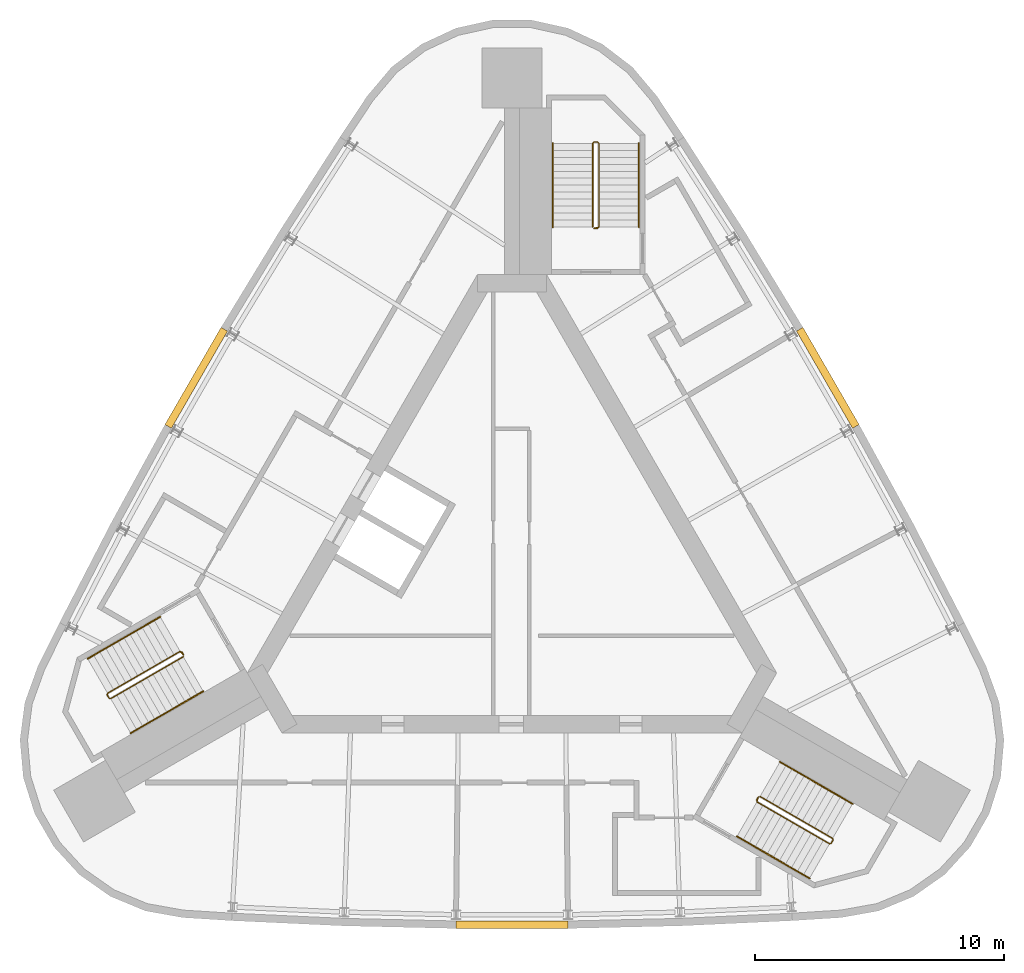
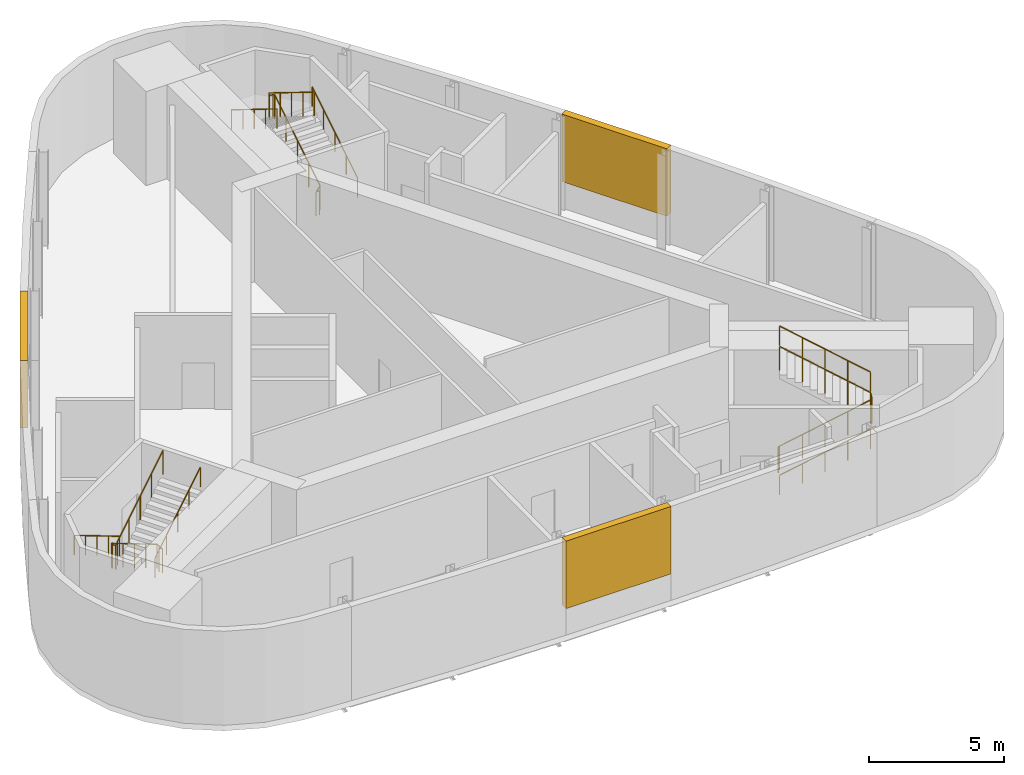
# One storey, part 7 of 7: 9 railings, 3 shading devices.
"""IFC4 building model written with IfcOpenShell, lengths in metres."""

import ifcopenshell
import ifcopenshell.guid

model = None  # the IFC model being written
_history = None  # IfcOwnerHistory: only IFC2X3 demands one
_inside = {}  # id of a spatial element -> (the spatial element, [elements in it])
_under = {}  # id of a project, library or spatial element -> (it, [spatial elements below it])
_declared = {}  # id of a project -> (the project, [libraries it declares])
_typed = {}  # id of a type object -> (the type object, [elements of that type])
_made_of = {}  # id of a material, layer set ... -> (it, [elements and type objects made of it])


def new_model(schema):
    """Start an empty IFC model of exactly this schema.

    Asked for "IFC4X3", IfcOpenShell would pick the latest addendum, in which some entities
    have other attributes; the version numbers below select the first issue.
    IFC2X3 requires an IfcOwnerHistory on every rooted entity: one is made here for all.
    """
    global model, _history
    if schema == "IFC4X3":
        model = ifcopenshell.file(schema_version=(4, 3, 0, 0))
    else:
        model = ifcopenshell.file(schema=schema)
    _inside.clear()
    _under.clear()
    _declared.clear()
    _typed.clear()
    _made_of.clear()
    _history = None
    if model.schema == "IFC2X3":
        org = make("IfcOrganization", Name="unknown")
        user = make(
            "IfcPersonAndOrganization",
            ThePerson=make("IfcPerson", FamilyName="unknown"),
            TheOrganization=org,
        )
        app = make(
            "IfcApplication",
            ApplicationDeveloper=org,
            Version="unknown",
            ApplicationFullName="unknown",
            ApplicationIdentifier="unknown",
        )
        _history = make(
            "IfcOwnerHistory",
            OwningUser=user,
            OwningApplication=app,
            ChangeAction="ADDED",
            CreationDate=0,
        )
    return model


def make(cls, **values):
    """One entity of the class cls with the attributes given. An attribute that is None is left unset."""
    return model.create_entity(
        cls, **{name: value for name, value in values.items() if value is not None}
    )


def rooted(cls, **values):
    """An entity with a GlobalId (a new one), such as an element, a storey or a relation."""
    return make(cls, GlobalId=ifcopenshell.guid.new(), OwnerHistory=_history, **values)


def si_unit(unit_type, name, prefix=None):
    """IfcSIUnit, for example si_unit("LENGTHUNIT", "METRE", prefix="MILLI")."""
    return make("IfcSIUnit", UnitType=unit_type, Prefix=prefix, Name=name)


def assignment(units):
    """IfcUnitAssignment: the units of a project."""
    return None if units is None else make("IfcUnitAssignment", Units=units)


def point(xyz):
    """IfcCartesianPoint."""
    return None if xyz is None else make("IfcCartesianPoint", Coordinates=xyz)


def direction(xyz):
    """IfcDirection."""
    return None if xyz is None else make("IfcDirection", DirectionRatios=xyz)


def frame(location, z_axis=None, x_axis=None):
    """IfcAxis2Placement3D, a coordinate frame: its origin and axes. An axis left out is left unset."""
    return make(
        "IfcAxis2Placement3D",
        Location=point(location),
        Axis=direction(z_axis),
        RefDirection=direction(x_axis),
    )


def frame_2d(location, x_axis=None):
    """IfcAxis2Placement2D, a coordinate frame in the plane: its origin and x axis."""
    return make(
        "IfcAxis2Placement2D", Location=point(location), RefDirection=direction(x_axis)
    )


def origin():
    """The frame at (0, 0, 0) with its axes left unset."""
    return frame((0.0, 0.0, 0.0))


def origin_2d():
    """The frame at (0, 0) in the plane with its x axis left unset."""
    return frame_2d((0.0, 0.0))


def place(relative_to, where):
    """IfcLocalPlacement: puts the frame where relative to a parent placement (None: the world)."""
    return make(
        "IfcLocalPlacement", PlacementRelTo=relative_to, RelativePlacement=where
    )


def context(
    kind, dimensions, precision=None, world=None, true_north=None, identifier=None
):
    """IfcGeometricRepresentationContext, for example the 3D "Model" context."""
    return make(
        "IfcGeometricRepresentationContext",
        ContextIdentifier=identifier,
        ContextType=kind,
        CoordinateSpaceDimension=dimensions,
        Precision=precision,
        WorldCoordinateSystem=world,
        TrueNorth=true_north,
    )


def subcontext(parent, identifier, kind, view, scale=None):
    """IfcGeometricRepresentationSubContext, for example "Body" below "Model"."""
    return make(
        "IfcGeometricRepresentationSubContext",
        ContextIdentifier=identifier,
        ContextType=kind,
        ParentContext=parent,
        TargetScale=scale,
        TargetView=view,
    )


def project(units=None, contexts=None):
    """IfcProject with its units and contexts."""
    return rooted(
        "IfcProject",
        Name="project",
        RepresentationContexts=contexts,
        UnitsInContext=assignment(units),
    )


def spatial(cls, under=None, at=None, **own):
    """A site, building, storey or space (cls), placed at a placement, below another one or the project."""
    s = rooted(cls, ObjectPlacement=at, **own)
    if under is not None:
        _under.setdefault(under.id(), (under, []))[1].append(s)
    return s


def polyline(points):
    """IfcPolyline through the points."""
    return make("IfcPolyline", Points=[point(p) for p in points])


def profile(cls, at=None, kind="AREA", **sizes):
    """A parametric profile (cls). Its sizes go by their IFC names, for example OverallWidth=200.0."""
    return make(cls, ProfileType=kind, Position=at, **sizes)


def circle(**sizes):
    """IfcCircleProfileDef."""
    return profile("IfcCircleProfileDef", **sizes)


def outline(outer, holes=None, kind="AREA"):
    """IfcArbitraryClosedProfileDef: a profile drawn as a closed curve; with holes, ...WithVoids."""
    if holes is None:
        return make("IfcArbitraryClosedProfileDef", ProfileType=kind, OuterCurve=outer)
    return make(
        "IfcArbitraryProfileDefWithVoids",
        ProfileType=kind,
        OuterCurve=outer,
        InnerCurves=holes,
    )


def extrude(swept, where, along, depth):
    """IfcExtrudedAreaSolid: the profile swept, set in the frame where, extruded along a direction by depth."""
    return make(
        "IfcExtrudedAreaSolid",
        SweptArea=swept,
        Position=where,
        ExtrudedDirection=direction(along),
        Depth=depth,
    )


def shape(context_of_items, identifier, shape_type, items):
    """IfcShapeRepresentation: the items that make up one representation, for example the "Body"."""
    return make(
        "IfcShapeRepresentation",
        ContextOfItems=context_of_items,
        RepresentationIdentifier=identifier,
        RepresentationType=shape_type,
        Items=items,
    )


def material(Name=None, Category=None):
    """IfcMaterial."""
    return make("IfcMaterial", Name=Name, Category=Category)


def made_of(thing, what):
    """Note that an element or type object is made of a material, layer set ...; save() writes the relation."""
    if what is not None:
        _made_of.setdefault(what.id(), (what, []))[1].append(thing)
    return thing


def type_object(cls, material=None, **own):
    """A type object (cls), such as IfcWallType, which elements share."""
    return made_of(rooted(cls, **own), material)


def element(
    cls,
    number,
    at=None,
    inside=None,
    cuts=None,
    type_object=None,
    material=None,
    context=None,
    identifier="Body",
    shape_type=None,
    held_by="IfcProductDefinitionShape",
    body=None,
    shapes=None,
    **own,
):
    """One element of the class cls, such as IfcWall. Its Tag is "e" and its number.

    at: its placement. inside: the storey or other place that contains it. cuts: it is an
    opening in that element (IfcRelVoidsElement). A single representation is given by context,
    identifier, shape_type and body (its items); several are given by shapes. held_by: the class
    of the entity that holds the representations. save() writes the other relations.
    """
    e = rooted(cls, Tag="e%d" % number, ObjectPlacement=at, **own)
    if body is not None:
        shapes = [shape(context, identifier, shape_type, body)]
    if shapes is not None:
        e.Representation = make(held_by, Representations=shapes)
    if inside is not None:
        _inside.setdefault(inside.id(), (inside, []))[1].append(e)
    if cuts is not None:
        rooted(
            "IfcRelVoidsElement", RelatingBuildingElement=cuts, RelatedOpeningElement=e
        )
    if type_object is not None:
        _typed.setdefault(type_object.id(), (type_object, []))[1].append(e)
    return made_of(e, material)


def aggregate(whole, parts):
    """IfcRelAggregates: a whole, such as a stair, and the parts it consists of."""
    return rooted("IfcRelAggregates", RelatingObject=whole, RelatedObjects=parts)


def save(model, path):
    """Write the relations noted so far, then the file.

    IfcRelAggregates (storeys below a building ...), IfcRelContainedInSpatialStructure (elements
    in a storey), IfcRelDefinesByType, IfcRelAssociatesMaterial and IfcRelDeclares: one each for
    every whole, place, type object, material and project.
    """
    for whole, parts in _under.values():
        aggregate(whole, parts)
    for where, things in _inside.values():
        rooted(
            "IfcRelContainedInSpatialStructure",
            RelatedElements=things,
            RelatingStructure=where,
        )
    for kind, things in _typed.values():
        rooted("IfcRelDefinesByType", RelatedObjects=things, RelatingType=kind)
    for what, things in _made_of.values():
        rooted("IfcRelAssociatesMaterial", RelatedObjects=things, RelatingMaterial=what)
    for by, libraries in _declared.values():
        rooted("IfcRelDeclares", RelatingContext=by, RelatedDefinitions=libraries)
    model.write(path)


model = new_model("IFC4")

# Units and contexts
model_context = context("Model", 3, precision=1e-05, world=origin(), true_north=direction((0.0, 1.0)))
body_context = subcontext(model_context, "Body", "Model", "MODEL_VIEW")
ifc_project = project(units=[si_unit("LENGTHUNIT", "METRE"), si_unit("AREAUNIT", "SQUARE_METRE"), si_unit("VOLUMEUNIT", "CUBIC_METRE"), si_unit("PLANEANGLEUNIT", "RADIAN"), si_unit("MASSUNIT", "GRAM", prefix="KILO")], contexts=[model_context])

# Site, building, storey
site_placement = place(None, origin())
site = spatial("IfcSite", under=ifc_project, at=site_placement, CompositionType="ELEMENT")
building_placement = place(site_placement, origin())
building = spatial("IfcBuilding", under=site, at=building_placement, Name="Noor Cloister Tower", CompositionType="ELEMENT")
storey_placement = place(building_placement, frame((0.0, 0.0, 293.10009765625)))
storey = spatial("IfcBuildingStorey", under=building, at=storey_placement, Name="L74", CompositionType="ELEMENT", Elevation=293.10009765625)

# Shading devices
ifc_material_1 = material(Name="Aluminium 6063-T6 anodised", Category="aluminium")
shading_device_type = type_object("IfcShadingDeviceType", Name="LOUVRE crown plant air 40 percent free", PredefinedType="USERDEFINED", material=ifc_material_1)
shading_device_1_placement = place(storey_placement, frame((0.0, 0.0, 1.199951171875)))
element("IfcShadingDevice", 1, at=shading_device_1_placement, inside=storey, type_object=shading_device_type, Name="LOUVRE L74 1", ObjectType="LOUVRE", PredefinedType="USERDEFINED", context=body_context, shape_type="SweptSolid", body=[
    extrude(outline(polyline([(-11.669189453125, 9.335205078125), (-13.919189453125, 5.438232421875), (-13.659423828125, 5.288330078125), (-11.409423828125, 9.185302734375), (-11.669189453125, 9.335205078125)])), origin(), (0.0, 0.0, 1.0), 3.050048828125),
])
shading_device_2_placement = place(storey_placement, frame((0.0, 0.0, 1.199951171875)))
element("IfcShadingDevice", 2, at=shading_device_2_placement, inside=storey, type_object=shading_device_type, Name="LOUVRE L74 2", ObjectType="LOUVRE", PredefinedType="USERDEFINED", context=body_context, shape_type="SweptSolid", body=[
    extrude(outline(polyline([(-2.25, -14.7734375), (2.25, -14.7734375), (2.25, -14.473388671875), (-2.25, -14.473388671875), (-2.25, -14.7734375)])), origin(), (0.0, 0.0, 1.0), 3.050048828125),
])
shading_device_3_placement = place(storey_placement, frame((0.0, 0.0, 1.199951171875)))
element("IfcShadingDevice", 3, at=shading_device_3_placement, inside=storey, type_object=shading_device_type, Name="LOUVRE L74 3", ObjectType="LOUVRE", PredefinedType="USERDEFINED", context=body_context, shape_type="SweptSolid", body=[
    extrude(outline(polyline([(13.919189453125, 5.438232421875), (11.669189453125, 9.335205078125), (11.409423828125, 9.185302734375), (13.659423828125, 5.288330078125), (13.919189453125, 5.438232421875)])), origin(), (0.0, 0.0, 1.0), 3.050048828125),
])

# Railings
ifc_material_2 = material(Name="Stainless steel", Category="steel")
railing_type_1 = type_object("IfcRailingType", Name="Stair guard 1100", PredefinedType="GUARDRAIL", material=ifc_material_2)
railing_1_placement = place(storey_placement, frame((3.435546875, 13.306396484375, 0.0)))
element("IfcRailing", 4, at=railing_1_placement, inside=storey, type_object=railing_type_1, Name="Stair guard ST1 L74", PredefinedType="GUARDRAIL", context=body_context, shape_type="SweptSolid", body=[
    extrude(circle(Radius=0.02392578125, at=origin_2d()), frame((0.0, 0.0, 1.076171875), z_axis=(-1.0, 0.0, 0.0), x_axis=(0.0, -1.0, 0.0)), (0.0, 0.0, 1.0), 0.14990234375),
    extrude(circle(Radius=0.02392578125, at=origin_2d()), frame((-0.14990234375, 0.0, 1.076171875), z_axis=(0.742869136974, 0.185944045274, 0.643094283413), x_axis=(-0.242814311512, 0.970072785993, 0.0)), (0.0, 0.0, 1.0), 0.26904296875),
    extrude(circle(Radius=0.02392578125, at=origin_2d()), frame((0.050048828125, 0.050048828125, 1.2490234375), z_axis=(0.0, 0.850606129759, 0.525803396734), x_axis=(-1.0, 0.0, 0.0)), (0.0, 0.0, 1.0), 3.949951171875),
    extrude(circle(Radius=0.02392578125, at=origin_2d()), frame((0.050048828125, 3.409912109375, 3.326171875), z_axis=(-0.707106781187, 0.707106781187, 0.0), x_axis=(-0.707106781187, -0.707106781187, 0.0)), (0.0, 0.0, 1.0), 0.07080078125),
    extrude(circle(Radius=0.02392578125, at=origin_2d()), frame((0.0, 3.4599609375, 3.326171875), z_axis=(-1.0, 0.0, 0.0), x_axis=(0.0, -1.0, 0.0)), (0.0, 0.0, 1.0), 0.14990234375),
    extrude(circle(Radius=0.02392578125, at=origin_2d()), frame((-0.14990234375, 3.4599609375, 3.326171875), z_axis=(-0.267629722418, -0.267629722418, 0.925607186314), x_axis=(0.707106781187, -0.707106781187, 0.0)), (0.0, 0.0, 1.0), 0.18701171875),
    extrude(circle(Radius=0.02392578125, at=origin_2d()), frame((-0.199951171875, 3.409912109375, 3.4990234375), z_axis=(0.0, -0.850606129759, 0.525803396734), x_axis=(1.0, 0.0, 0.0)), (0.0, 0.0, 1.0), 3.949951171875),
    extrude(circle(Radius=0.02099609375, at=origin_2d()), origin(), (0.0, 0.0, 1.0), 1.052001953125),
    extrude(circle(Radius=0.02099609375, at=origin_2d()), frame((-0.14990234375, 0.0, 0.0)), (0.0, 0.0, 1.0), 1.052001953125),
    extrude(circle(Radius=0.02099609375, at=origin_2d()), frame((0.050048828125, 0.050048828125, 0.173095703125)), (0.0, 0.0, 1.0), 1.052001953125),
    extrude(circle(Radius=0.02099609375, at=origin_2d()), frame((0.050048828125, 0.89013671875, 0.6923828125)), (0.0, 0.0, 1.0), 1.052001953125),
    extrude(circle(Radius=0.02099609375, at=origin_2d()), frame((0.050048828125, 1.72998046875, 1.21142578125)), (0.0, 0.0, 1.0), 1.052001953125),
    extrude(circle(Radius=0.02099609375, at=origin_2d()), frame((0.050048828125, 2.56982421875, 1.730712890625)), (0.0, 0.0, 1.0), 1.052001953125),
    extrude(circle(Radius=0.02099609375, at=origin_2d()), frame((0.050048828125, 3.409912109375, 2.25)), (0.0, 0.0, 1.0), 1.052001953125),
    extrude(circle(Radius=0.02099609375, at=origin_2d()), frame((0.0, 3.4599609375, 2.25)), (0.0, 0.0, 1.0), 1.052001953125),
    extrude(circle(Radius=0.02099609375, at=origin_2d()), frame((-0.14990234375, 3.4599609375, 2.25)), (0.0, 0.0, 1.0), 1.052001953125),
    extrude(circle(Radius=0.02099609375, at=origin_2d()), frame((-0.199951171875, 3.409912109375, 2.423095703125)), (0.0, 0.0, 1.0), 1.052001953125),
    extrude(circle(Radius=0.02099609375, at=origin_2d()), frame((-0.199951171875, 2.56982421875, 2.9423828125)), (0.0, 0.0, 1.0), 1.052001953125),
    extrude(circle(Radius=0.02099609375, at=origin_2d()), frame((-0.199951171875, 1.72998046875, 3.46142578125)), (0.0, 0.0, 1.0), 1.052001953125),
    extrude(circle(Radius=0.02099609375, at=origin_2d()), frame((-0.199951171875, 0.89013671875, 3.980712890625)), (0.0, 0.0, 1.0), 1.052001953125),
    extrude(circle(Radius=0.02099609375, at=origin_2d()), frame((-0.199951171875, 0.050048828125, 4.5)), (0.0, 0.0, 1.0), 1.052001953125),
])
railing_2_placement = place(storey_placement, frame((-13.241455078125, -3.677734375, 0.0)))
element("IfcRailing", 5, at=railing_2_placement, inside=storey, type_object=railing_type_1, Name="Stair guard ST2 L74", PredefinedType="GUARDRAIL", context=body_context, shape_type="SweptSolid", body=[
    extrude(circle(Radius=0.02392578125, at=origin_2d()), frame((0.0, 0.0, 1.076171875), z_axis=(0.499112439033, -0.866537231285, 0.0), x_axis=(0.866537231285, 0.499112439033, 0.0)), (0.0, 0.0, 1.0), 0.150146484375),
    extrude(circle(Radius=0.02392578125, at=origin_2d()), frame((0.074951171875, -0.130126953125, 1.076171875), z_axis=(-0.532384093884, 0.550523245294, 0.643032917485), x_axis=(-0.718850276695, -0.695164929852, 0.0)), (0.0, 0.0, 1.0), 0.269287109375),
    extrude(circle(Radius=0.02392578125, at=origin_2d()), frame((-0.068359375, 0.01806640625, 1.2490234375), z_axis=(-0.736667954249, -0.425288379326, 0.525785240943), x_axis=(0.499976138585, -0.866039179741, 0.0)), (0.0, 0.0, 1.0), 3.9501953125),
    extrude(circle(Radius=0.02392578125, at=origin_2d()), frame((-2.978271484375, -1.661865234375, 3.326171875), z_axis=(-0.258736085224, -0.965948051503, 0.0), x_axis=(0.965948051503, -0.258736085224, 0.0)), (0.0, 0.0, 1.0), 0.07080078125),
    extrude(circle(Radius=0.02392578125, at=origin_2d()), frame((-2.99658203125, -1.730224609375, 3.326171875), z_axis=(0.501036270542, -0.865426285481, 0.0), x_axis=(0.865426285481, 0.501036270542, 0.0)), (0.0, 0.0, 1.0), 0.150146484375),
    extrude(circle(Radius=0.02392578125, at=origin_2d()), frame((-2.92138671875, -1.860107421875, 3.326171875), z_axis=(0.364418931161, -0.097962078269, 0.926068179905), x_axis=(0.259601060869, 0.965715946433, 0.0)), (0.0, 0.0, 1.0), 0.18701171875),
    extrude(circle(Radius=0.02392578125, at=origin_2d()), frame((-2.853271484375, -1.87841796875, 3.4990234375), z_axis=(0.736648589954, 0.42533900462, 0.52577141998), x_axis=(-0.500030632641, 0.866007717299, 0.0)), (0.0, 0.0, 1.0), 3.9501953125),
    extrude(circle(Radius=0.02099609375, at=origin_2d()), origin(), (0.0, 0.0, 1.0), 1.052001953125),
    extrude(circle(Radius=0.02099609375, at=origin_2d()), frame((0.074951171875, -0.130126953125, 0.0)), (0.0, 0.0, 1.0), 1.052001953125),
    extrude(circle(Radius=0.02099609375, at=origin_2d()), frame((-0.068359375, 0.01806640625, 0.173095703125)), (0.0, 0.0, 1.0), 1.052001953125),
    extrude(circle(Radius=0.02099609375, at=origin_2d()), frame((-0.7958984375, -0.40185546875, 0.6923828125)), (0.0, 0.0, 1.0), 1.052001953125),
    extrude(circle(Radius=0.02099609375, at=origin_2d()), frame((-1.5234375, -0.82177734375, 1.21142578125)), (0.0, 0.0, 1.0), 1.052001953125),
    extrude(circle(Radius=0.02099609375, at=origin_2d()), frame((-2.250732421875, -1.241943359375, 1.730712890625)), (0.0, 0.0, 1.0), 1.052001953125),
    extrude(circle(Radius=0.02099609375, at=origin_2d()), frame((-2.978271484375, -1.661865234375, 2.25)), (0.0, 0.0, 1.0), 1.052001953125),
    extrude(circle(Radius=0.02099609375, at=origin_2d()), frame((-2.99658203125, -1.730224609375, 2.25)), (0.0, 0.0, 1.0), 1.052001953125),
    extrude(circle(Radius=0.02099609375, at=origin_2d()), frame((-2.92138671875, -1.860107421875, 2.25)), (0.0, 0.0, 1.0), 1.052001953125),
    extrude(circle(Radius=0.02099609375, at=origin_2d()), frame((-2.853271484375, -1.87841796875, 2.423095703125)), (0.0, 0.0, 1.0), 1.052001953125),
    extrude(circle(Radius=0.02099609375, at=origin_2d()), frame((-2.125732421875, -1.45849609375, 2.9423828125)), (0.0, 0.0, 1.0), 1.052001953125),
    extrude(circle(Radius=0.02099609375, at=origin_2d()), frame((-1.3984375, -1.038330078125, 3.46142578125)), (0.0, 0.0, 1.0), 1.052001953125),
    extrude(circle(Radius=0.02099609375, at=origin_2d()), frame((-0.6708984375, -0.6181640625, 3.980712890625)), (0.0, 0.0, 1.0), 1.052001953125),
    extrude(circle(Radius=0.02099609375, at=origin_2d()), frame((0.056640625, -0.1982421875, 4.5)), (0.0, 0.0, 1.0), 1.052001953125),
])
railing_3_placement = place(storey_placement, frame((9.805908203125, -9.628662109375, 0.0)))
element("IfcRailing", 6, at=railing_3_placement, inside=storey, type_object=railing_type_1, Name="Stair guard ST3 L74", PredefinedType="GUARDRAIL", context=body_context, shape_type="SweptSolid", body=[
    extrude(circle(Radius=0.02392578125, at=origin_2d()), frame((0.0, 0.0, 1.076171875), z_axis=(0.499112439033, 0.866537231285, 0.0), x_axis=(-0.866537231285, 0.499112439033, 0.0)), (0.0, 0.0, 1.0), 0.150146484375),
    extrude(circle(Radius=0.02392578125, at=origin_2d()), frame((0.074951171875, 0.130126953125, 1.076171875), z_axis=(-0.210401176497, -0.736404117741, 0.642993250589), x_axis=(0.961523947641, -0.274721127897, 0.0)), (0.0, 0.0, 1.0), 0.269287109375),
    extrude(circle(Radius=0.02392578125, at=origin_2d()), frame((0.018310546875, -0.068115234375, 1.2490234375), z_axis=(0.736648589954, -0.42533900462, 0.52577141998), x_axis=(0.500030632641, 0.866007717299, 0.0)), (0.0, 0.0, 1.0), 3.9501953125),
    extrude(circle(Radius=0.02392578125, at=origin_2d()), frame((2.92822265625, -1.748291015625, 3.326171875), z_axis=(0.965715946433, 0.259601060869, 0.0), x_axis=(-0.259601060869, 0.965715946433, 0.0)), (0.0, 0.0, 1.0), 0.070556640625),
    extrude(circle(Radius=0.02392578125, at=origin_2d()), frame((2.996337890625, -1.72998046875, 3.326171875), z_axis=(0.499816412211, 0.866131372301, 0.0), x_axis=(-0.866131372301, 0.499816412211, 0.0)), (0.0, 0.0, 1.0), 0.14990234375),
    extrude(circle(Radius=0.02392578125, at=origin_2d()), frame((3.0712890625, -1.60009765625, 3.326171875), z_axis=(-0.096622130353, 0.365597249983, 0.925744465136), x_axis=(-0.966805641264, -0.255512919477, 0.0)), (0.0, 0.0, 1.0), 0.18701171875),
    extrude(circle(Radius=0.02392578125, at=origin_2d()), frame((3.05322265625, -1.53173828125, 3.4990234375), z_axis=(-0.736667954249, 0.425288379326, 0.525785240943), x_axis=(-0.499976138585, -0.866039179741, 0.0)), (0.0, 0.0, 1.0), 3.9501953125),
    extrude(circle(Radius=0.02099609375, at=origin_2d()), origin(), (0.0, 0.0, 1.0), 1.052001953125),
    extrude(circle(Radius=0.02099609375, at=origin_2d()), frame((0.074951171875, 0.130126953125, 0.0)), (0.0, 0.0, 1.0), 1.052001953125),
    extrude(circle(Radius=0.02099609375, at=origin_2d()), frame((0.018310546875, -0.068115234375, 0.173095703125)), (0.0, 0.0, 1.0), 1.052001953125),
    extrude(circle(Radius=0.02099609375, at=origin_2d()), frame((0.745849609375, -0.48828125, 0.6923828125)), (0.0, 0.0, 1.0), 1.052001953125),
    extrude(circle(Radius=0.02099609375, at=origin_2d()), frame((1.47314453125, -0.908203125, 1.21142578125)), (0.0, 0.0, 1.0), 1.052001953125),
    extrude(circle(Radius=0.02099609375, at=origin_2d()), frame((2.20068359375, -1.328125, 1.730712890625)), (0.0, 0.0, 1.0), 1.052001953125),
    extrude(circle(Radius=0.02099609375, at=origin_2d()), frame((2.92822265625, -1.748291015625, 2.25)), (0.0, 0.0, 1.0), 1.052001953125),
    extrude(circle(Radius=0.02099609375, at=origin_2d()), frame((2.996337890625, -1.72998046875, 2.25)), (0.0, 0.0, 1.0), 1.052001953125),
    extrude(circle(Radius=0.02099609375, at=origin_2d()), frame((3.0712890625, -1.60009765625, 2.25)), (0.0, 0.0, 1.0), 1.052001953125),
    extrude(circle(Radius=0.02099609375, at=origin_2d()), frame((3.05322265625, -1.53173828125, 2.423095703125)), (0.0, 0.0, 1.0), 1.052001953125),
    extrude(circle(Radius=0.02099609375, at=origin_2d()), frame((2.32568359375, -1.11181640625, 2.9423828125)), (0.0, 0.0, 1.0), 1.052001953125),
    extrude(circle(Radius=0.02099609375, at=origin_2d()), frame((1.59814453125, -0.69189453125, 3.46142578125)), (0.0, 0.0, 1.0), 1.052001953125),
    extrude(circle(Radius=0.02099609375, at=origin_2d()), frame((0.870849609375, -0.271728515625, 3.980712890625)), (0.0, 0.0, 1.0), 1.052001953125),
    extrude(circle(Radius=0.02099609375, at=origin_2d()), frame((0.143310546875, 0.148193359375, 4.5)), (0.0, 0.0, 1.0), 1.052001953125),
])
ifc_material_3 = material(Name="Stainless steel", Category="steel")
railing_type_2 = type_object("IfcRailingType", Name="Stair handrail 900", PredefinedType="HANDRAIL", material=ifc_material_3)
railing_4_placement = place(storey_placement, frame((5.085693359375, 13.3564453125, 0.173095703125)))
element("IfcRailing", 7, at=railing_4_placement, inside=storey, type_object=railing_type_2, Name="Stair handrail ST1 L74 1", PredefinedType="HANDRAIL", context=body_context, shape_type="SweptSolid", body=[
    extrude(circle(Radius=0.02392578125, at=origin_2d()), frame((0.0, 0.0, 0.8759765625), z_axis=(0.0, 0.850606129759, 0.525803396734), x_axis=(-1.0, 0.0, 0.0)), (0.0, 0.0, 1.0), 3.949951171875),
    extrude(circle(Radius=0.02099609375, at=origin_2d()), origin(), (0.0, 0.0, 1.0), 0.851806640625),
    extrude(circle(Radius=0.02099609375, at=origin_2d()), frame((0.0, 0.83984375, 0.519287109375)), (0.0, 0.0, 1.0), 0.851806640625),
    extrude(circle(Radius=0.02099609375, at=origin_2d()), frame((0.0, 1.679931640625, 1.03857421875)), (0.0, 0.0, 1.0), 0.851806640625),
    extrude(circle(Radius=0.02099609375, at=origin_2d()), frame((0.0, 2.52001953125, 1.5576171875)), (0.0, 0.0, 1.0), 0.851806640625),
    extrude(circle(Radius=0.02099609375, at=origin_2d()), frame((0.0, 3.35986328125, 2.076904296875)), (0.0, 0.0, 1.0), 0.851806640625),
])
railing_5_placement = place(storey_placement, frame((1.6357421875, 16.71630859375, 2.423095703125)))
element("IfcRailing", 8, at=railing_5_placement, inside=storey, type_object=railing_type_2, Name="Stair handrail ST1 L74 2", PredefinedType="HANDRAIL", context=body_context, shape_type="SweptSolid", body=[
    extrude(circle(Radius=0.02392578125, at=origin_2d()), frame((0.0, 0.0, 0.8759765625), z_axis=(0.0, -0.850606129759, 0.525803396734), x_axis=(1.0, 0.0, 0.0)), (0.0, 0.0, 1.0), 3.949951171875),
    extrude(circle(Radius=0.02099609375, at=origin_2d()), origin(), (0.0, 0.0, 1.0), 0.851806640625),
    extrude(circle(Radius=0.02099609375, at=origin_2d()), frame((0.0, -0.83984375, 0.519287109375)), (0.0, 0.0, 1.0), 0.851806640625),
    extrude(circle(Radius=0.02099609375, at=origin_2d()), frame((0.0, -1.679931640625, 1.03857421875)), (0.0, 0.0, 1.0), 0.851806640625),
    extrude(circle(Radius=0.02099609375, at=origin_2d()), frame((0.0, -2.52001953125, 1.5576171875)), (0.0, 0.0, 1.0), 0.851806640625),
    extrude(circle(Radius=0.02099609375, at=origin_2d()), frame((0.0, -3.35986328125, 2.076904296875)), (0.0, 0.0, 1.0), 0.851806640625),
])
railing_6_placement = place(storey_placement, frame((-14.10986328125, -2.27392578125, 0.173095703125)))
element("IfcRailing", 9, at=railing_6_placement, inside=storey, type_object=railing_type_2, Name="Stair handrail ST2 L74 1", PredefinedType="HANDRAIL", context=body_context, shape_type="SweptSolid", body=[
    extrude(circle(Radius=0.02392578125, at=origin_2d()), frame((0.0, 0.0, 0.8759765625), z_axis=(-0.736639687092, -0.425307743487, 0.525809180911), x_axis=(0.500007602105, -0.866021014662, 0.0)), (0.0, 0.0, 1.0), 3.949951171875),
    extrude(circle(Radius=0.02099609375, at=origin_2d()), origin(), (0.0, 0.0, 1.0), 0.851806640625),
    extrude(circle(Radius=0.02099609375, at=origin_2d()), frame((-0.7275390625, -0.419921875, 0.519287109375)), (0.0, 0.0, 1.0), 0.851806640625),
    extrude(circle(Radius=0.02099609375, at=origin_2d()), frame((-1.454833984375, -0.83984375, 1.03857421875)), (0.0, 0.0, 1.0), 0.851806640625),
    extrude(circle(Radius=0.02099609375, at=origin_2d()), frame((-2.18212890625, -1.260009765625, 1.5576171875)), (0.0, 0.0, 1.0), 0.851806640625),
    extrude(circle(Radius=0.02099609375, at=origin_2d()), frame((-2.90966796875, -1.679931640625, 2.076904296875)), (0.0, 0.0, 1.0), 0.851806640625),
])
railing_7_placement = place(storey_placement, frame((-15.294677734375, -6.941650390625, 2.423095703125)))
element("IfcRailing", 10, at=railing_7_placement, inside=storey, type_object=railing_type_2, Name="Stair handrail ST2 L74 2", PredefinedType="HANDRAIL", context=body_context, shape_type="SweptSolid", body=[
    extrude(circle(Radius=0.02392578125, at=origin_2d()), frame((0.0, 0.0, 0.8759765625), z_axis=(0.736667954249, 0.425288379326, 0.525785240943), x_axis=(-0.499976138585, 0.866039179741, 0.0)), (0.0, 0.0, 1.0), 3.9501953125),
    extrude(circle(Radius=0.02099609375, at=origin_2d()), origin(), (0.0, 0.0, 1.0), 0.851806640625),
    extrude(circle(Radius=0.02099609375, at=origin_2d()), frame((0.7275390625, 0.419921875, 0.519287109375)), (0.0, 0.0, 1.0), 0.851806640625),
    extrude(circle(Radius=0.02099609375, at=origin_2d()), frame((1.455078125, 0.83984375, 1.03857421875)), (0.0, 0.0, 1.0), 0.851806640625),
    extrude(circle(Radius=0.02099609375, at=origin_2d()), frame((2.182373046875, 1.260009765625, 1.5576171875)), (0.0, 0.0, 1.0), 0.851806640625),
    extrude(circle(Radius=0.02099609375, at=origin_2d()), frame((2.909912109375, 1.679931640625, 2.076904296875)), (0.0, 0.0, 1.0), 0.851806640625),
])
railing_8_placement = place(storey_placement, frame((9.024169921875, -11.08251953125, 0.173095703125)))
element("IfcRailing", 11, at=railing_8_placement, inside=storey, type_object=railing_type_2, Name="Stair handrail ST3 L74 1", PredefinedType="HANDRAIL", context=body_context, shape_type="SweptSolid", body=[
    extrude(circle(Radius=0.02392578125, at=origin_2d()), frame((0.0, 0.0, 0.8759765625), z_axis=(0.736667954249, -0.425288379326, 0.525785240943), x_axis=(0.499976138585, 0.866039179741, 0.0)), (0.0, 0.0, 1.0), 3.9501953125),
    extrude(circle(Radius=0.02099609375, at=origin_2d()), origin(), (0.0, 0.0, 1.0), 0.851806640625),
    extrude(circle(Radius=0.02099609375, at=origin_2d()), frame((0.7275390625, -0.419921875, 0.519287109375)), (0.0, 0.0, 1.0), 0.851806640625),
    extrude(circle(Radius=0.02099609375, at=origin_2d()), frame((1.455078125, -0.83984375, 1.03857421875)), (0.0, 0.0, 1.0), 0.851806640625),
    extrude(circle(Radius=0.02099609375, at=origin_2d()), frame((2.182373046875, -1.260009765625, 1.5576171875)), (0.0, 0.0, 1.0), 0.851806640625),
    extrude(circle(Radius=0.02099609375, at=origin_2d()), frame((2.909912109375, -1.679931640625, 2.076904296875)), (0.0, 0.0, 1.0), 0.851806640625),
])
railing_9_placement = place(storey_placement, frame((13.658935546875, -9.774658203125, 2.423095703125)))
element("IfcRailing", 12, at=railing_9_placement, inside=storey, type_object=railing_type_2, Name="Stair handrail ST3 L74 2", PredefinedType="HANDRAIL", context=body_context, shape_type="SweptSolid", body=[
    extrude(circle(Radius=0.02392578125, at=origin_2d()), frame((0.0, 0.0, 0.8759765625), z_axis=(-0.736639687092, 0.425307743487, 0.525809180911), x_axis=(-0.500007602105, -0.866021014662, 0.0)), (0.0, 0.0, 1.0), 3.949951171875),
    extrude(circle(Radius=0.02099609375, at=origin_2d()), origin(), (0.0, 0.0, 1.0), 0.851806640625),
    extrude(circle(Radius=0.02099609375, at=origin_2d()), frame((-0.7275390625, 0.419921875, 0.519287109375)), (0.0, 0.0, 1.0), 0.851806640625),
    extrude(circle(Radius=0.02099609375, at=origin_2d()), frame((-1.454833984375, 0.83984375, 1.03857421875)), (0.0, 0.0, 1.0), 0.851806640625),
    extrude(circle(Radius=0.02099609375, at=origin_2d()), frame((-2.18212890625, 1.260009765625, 1.5576171875)), (0.0, 0.0, 1.0), 0.851806640625),
    extrude(circle(Radius=0.02099609375, at=origin_2d()), frame((-2.90966796875, 1.679931640625, 2.076904296875)), (0.0, 0.0, 1.0), 0.851806640625),
])

save(model, "model.ifc")
